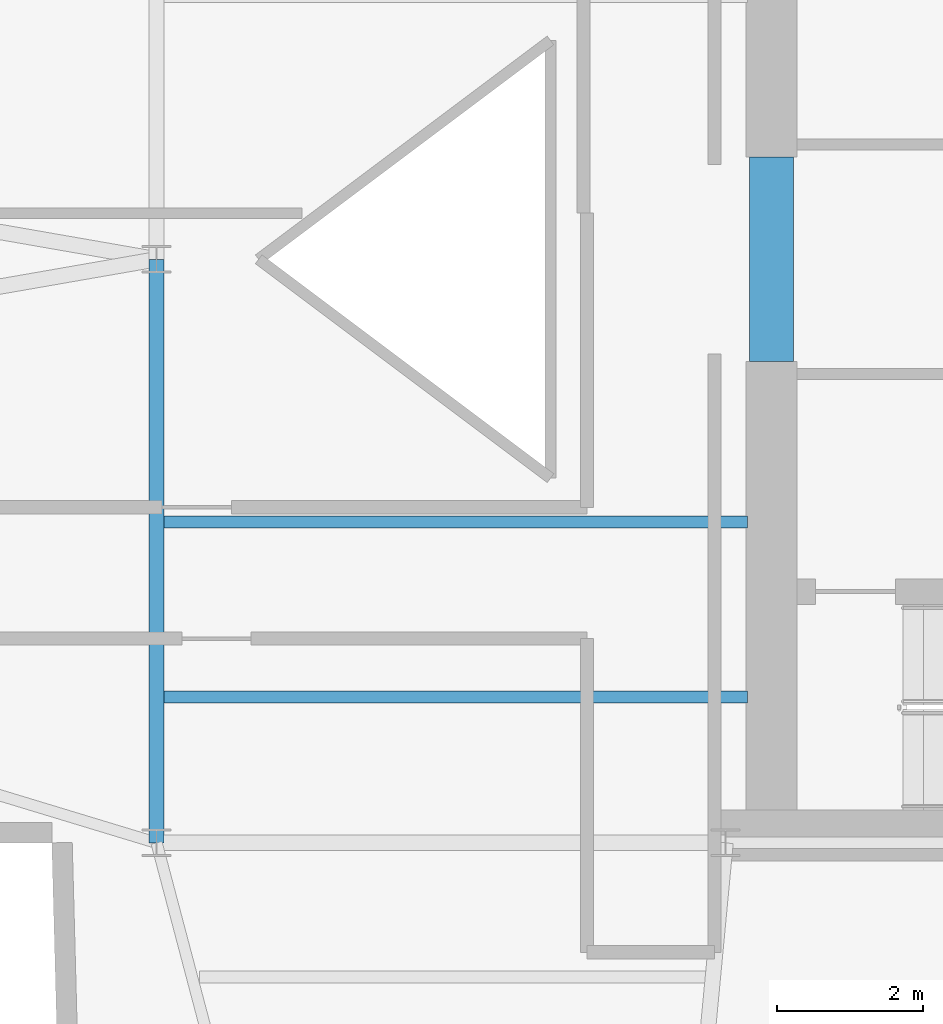
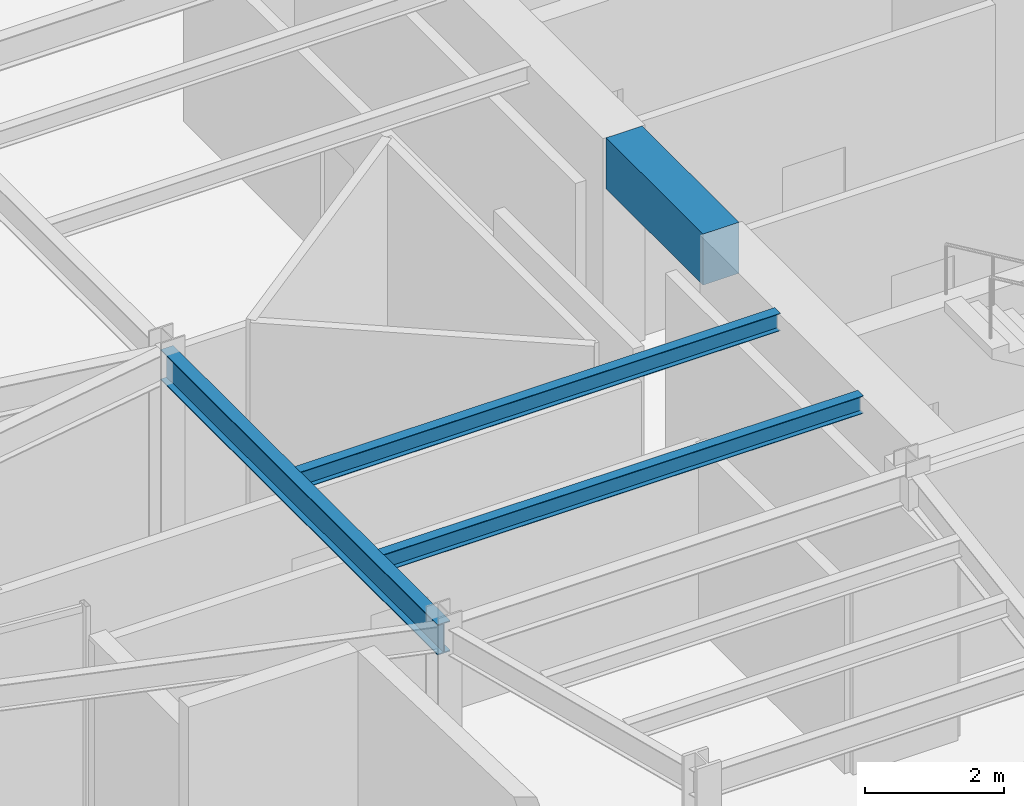
# One storey, part 7 of 21: 4 beams.
"""IFC4 building model written with IfcOpenShell, lengths in metres."""

from ifc_helpers import new_model, si_unit, direction, frame, origin, origin_2d, place, context, subcontext, project, spatial, rectangle, i_section, extrude, material, material_profile, profile_set, type_object, element, save


model = new_model("IFC4")

# Units and contexts
model_context = context("Model", 3, precision=1e-05, world=origin(), true_north=direction((0.0, 1.0)))
body_context = subcontext(model_context, "Body", "Model", "MODEL_VIEW")
ifc_project = project(units=[si_unit("LENGTHUNIT", "METRE"), si_unit("AREAUNIT", "SQUARE_METRE"), si_unit("VOLUMEUNIT", "CUBIC_METRE"), si_unit("PLANEANGLEUNIT", "RADIAN"), si_unit("MASSUNIT", "GRAM", prefix="KILO")], contexts=[model_context])

# Site, building, storey
site_placement = place(None, origin())
site = spatial("IfcSite", under=ifc_project, at=site_placement, CompositionType="ELEMENT")
building_placement = place(site_placement, origin())
building = spatial("IfcBuilding", under=site, at=building_placement, Name="Veymaron Broadcast Tower", CompositionType="ELEMENT")
storey_placement = place(building_placement, frame((0.0, 0.0, 244.5)))
storey = spatial("IfcBuildingStorey", under=building, at=storey_placement, Name="L57", CompositionType="ELEMENT", Elevation=244.5)

# Beams
ifc_material_1 = material(Name="Concrete C60/75", Category="concrete")
ifc_material_profile_1 = material_profile(ifc_material_1, rectangle(XDim=0.60009765625, YDim=0.89990234375, at=origin_2d()), Name="RC600X900")
ifc_profile_set_1 = profile_set([ifc_material_profile_1], Name="Concrete C60/75")
beam_type_1 = type_object("IfcBeamType", Name="BM-CB2", PredefinedType="LINTEL", material=ifc_profile_set_1)
beam_1_placement = place(storey_placement, frame((39.6298828125, 22.60009765625, 3.340087890625), z_axis=(0.0, 1.0, 0.0), x_axis=(-1.0, 0.0, 0.0)))
element("IfcBeam", 1, at=beam_1_placement, inside=storey, type_object=beam_type_1, Name="L57 Core Wall west coupling beam", PredefinedType="LINTEL", context=body_context, shape_type="SweptSolid", body=[
    extrude(rectangle(XDim=0.60009765625, YDim=0.89990234375, at=origin_2d()), origin(), (0.0, 0.0, 1.0), 2.7998046875),
])
ifc_material_2 = material(Name="Structural steel ASTM A992 Gr 50", Category="steel")
ifc_material_profile_2 = material_profile(ifc_material_2, i_section(OverallWidth=0.2099609375, OverallDepth=0.537109375, WebThickness=0.010986328125, FlangeThickness=0.017333984375, at=origin_2d()), Name="W530X101")
ifc_profile_set_2 = profile_set([ifc_material_profile_2], Name="Structural steel ASTM A992 Gr 50")
beam_type_2 = type_object("IfcBeamType", Name="BM-FG3", PredefinedType="BEAM", material=ifc_profile_set_2)
beam_2_placement = place(storey_placement, frame((31.199951171875, 16.0, 3.521484375), z_axis=(0.0, 1.0, 0.0), x_axis=(-1.0, 0.0, 0.0)))
element("IfcBeam", 2, at=beam_2_placement, inside=storey, type_object=beam_type_2, Name="L57 primary structural floor girder", PredefinedType="BEAM", context=body_context, shape_type="SweptSolid", body=[
    extrude(i_section(OverallWidth=0.2099609375, OverallDepth=0.537109375, WebThickness=0.010986328125, FlangeThickness=0.017333984375, at=origin_2d()), origin(), (0.0, 0.0, 1.0), 8.0),
])
ifc_material_profile_3 = material_profile(ifc_material_2, i_section(OverallWidth=0.1650390625, OverallDepth=0.31005859375, WebThickness=0.005859375, FlangeThickness=0.009765625, at=origin_2d()), Name="W310X39")
ifc_profile_set_3 = profile_set([ifc_material_profile_3], Name="Structural steel ASTM A992 Gr 50")
beam_type_3 = type_object("IfcBeamType", Name="BM-JS3", PredefinedType="JOIST", material=ifc_profile_set_3)
for number, where, z_axis, x_axis, name in (
    (3, (31.300048828125, 18.0, 3.635009765625), (1.0, 0.0, 0.0), (0.0, 1.0, 0.0), "L57 Hub secondary joist 1"),
    (4, (31.300048828125, 20.39990234375, 3.635009765625), (1.0, 0.0, 0.0), (0.0, 1.0, 0.0), "L57 Hub secondary joist 2"),
):
    element("IfcBeam", number, at=place(storey_placement, frame(where, z_axis=z_axis, x_axis=x_axis)), inside=storey, type_object=beam_type_3, Name=name, PredefinedType="JOIST", context=body_context, shape_type="SweptSolid", body=[
        extrude(i_section(OverallWidth=0.1650390625, OverallDepth=0.31005859375, WebThickness=0.005859375, FlangeThickness=0.009765625, at=origin_2d()), origin(), (0.0, 0.0, 1.0), 8.0),
    ])

save(model, "model.ifc")
